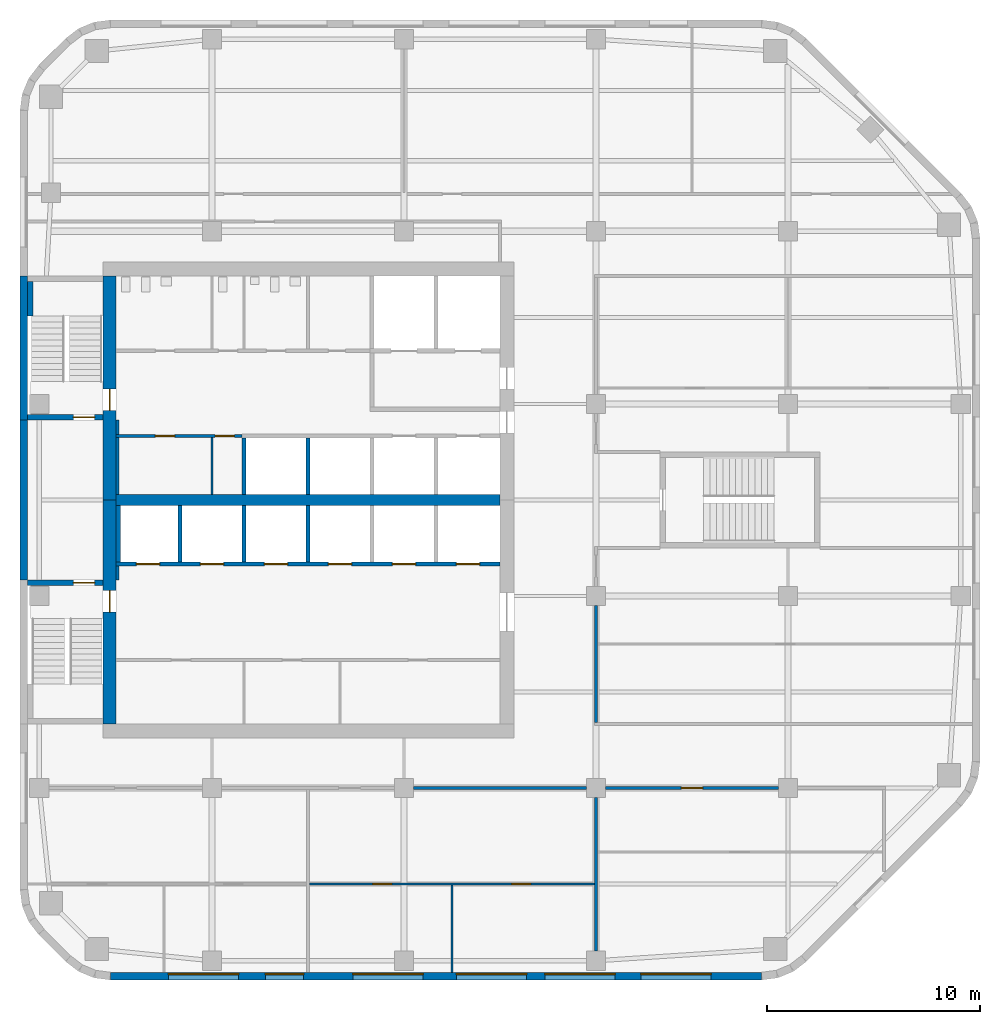
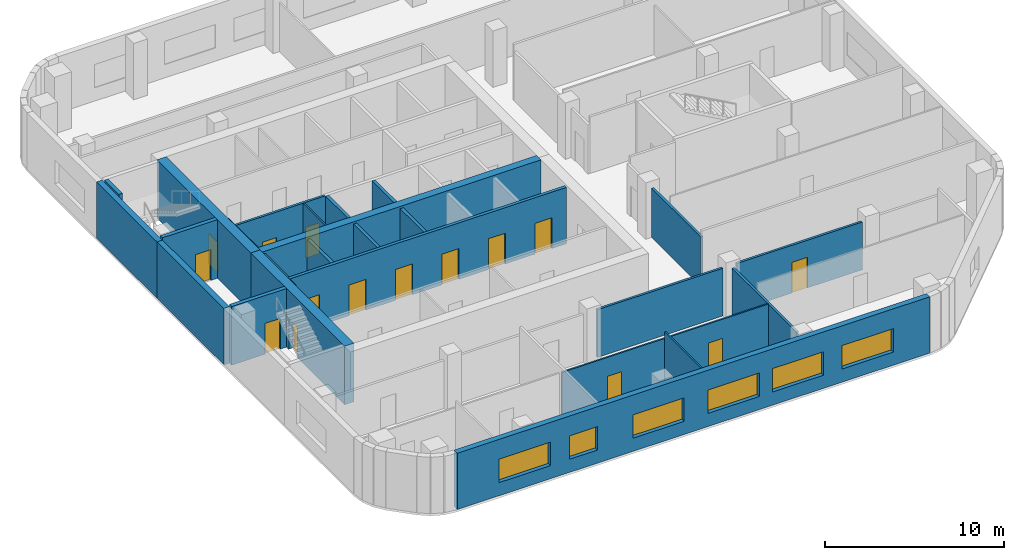
# One storey, part 3 of 8: 27 walls, 15 doors, 6 windows, 21 openings.
"""IFC4 building model written with IfcOpenShell, lengths in metres."""

import ifcopenshell
import ifcopenshell.guid

model = None  # the IFC model being written
_history = None  # IfcOwnerHistory: only IFC2X3 demands one
_inside = {}  # id of a spatial element -> (the spatial element, [elements in it])
_under = {}  # id of a project, library or spatial element -> (it, [spatial elements below it])
_declared = {}  # id of a project -> (the project, [libraries it declares])
_typed = {}  # id of a type object -> (the type object, [elements of that type])
_made_of = {}  # id of a material, layer set ... -> (it, [elements and type objects made of it])


def new_model(schema):
    """Start an empty IFC model of exactly this schema.

    Asked for "IFC4X3", IfcOpenShell would pick the latest addendum, in which some entities
    have other attributes; the version numbers below select the first issue.
    IFC2X3 requires an IfcOwnerHistory on every rooted entity: one is made here for all.
    """
    global model, _history
    if schema == "IFC4X3":
        model = ifcopenshell.file(schema_version=(4, 3, 0, 0))
    else:
        model = ifcopenshell.file(schema=schema)
    _inside.clear()
    _under.clear()
    _declared.clear()
    _typed.clear()
    _made_of.clear()
    _history = None
    if model.schema == "IFC2X3":
        org = make("IfcOrganization", Name="unknown")
        user = make(
            "IfcPersonAndOrganization",
            ThePerson=make("IfcPerson", FamilyName="unknown"),
            TheOrganization=org,
        )
        app = make(
            "IfcApplication",
            ApplicationDeveloper=org,
            Version="unknown",
            ApplicationFullName="unknown",
            ApplicationIdentifier="unknown",
        )
        _history = make(
            "IfcOwnerHistory",
            OwningUser=user,
            OwningApplication=app,
            ChangeAction="ADDED",
            CreationDate=0,
        )
    return model


def make(cls, **values):
    """One entity of the class cls with the attributes given. An attribute that is None is left unset."""
    return model.create_entity(
        cls, **{name: value for name, value in values.items() if value is not None}
    )


def rooted(cls, **values):
    """An entity with a GlobalId (a new one), such as an element, a storey or a relation."""
    return make(cls, GlobalId=ifcopenshell.guid.new(), OwnerHistory=_history, **values)


def si_unit(unit_type, name, prefix=None):
    """IfcSIUnit, for example si_unit("LENGTHUNIT", "METRE", prefix="MILLI")."""
    return make("IfcSIUnit", UnitType=unit_type, Prefix=prefix, Name=name)


def assignment(units):
    """IfcUnitAssignment: the units of a project."""
    return None if units is None else make("IfcUnitAssignment", Units=units)


def point(xyz):
    """IfcCartesianPoint."""
    return None if xyz is None else make("IfcCartesianPoint", Coordinates=xyz)


def direction(xyz):
    """IfcDirection."""
    return None if xyz is None else make("IfcDirection", DirectionRatios=xyz)


def frame(location, z_axis=None, x_axis=None):
    """IfcAxis2Placement3D, a coordinate frame: its origin and axes. An axis left out is left unset."""
    return make(
        "IfcAxis2Placement3D",
        Location=point(location),
        Axis=direction(z_axis),
        RefDirection=direction(x_axis),
    )


def frame_2d(location, x_axis=None):
    """IfcAxis2Placement2D, a coordinate frame in the plane: its origin and x axis."""
    return make(
        "IfcAxis2Placement2D", Location=point(location), RefDirection=direction(x_axis)
    )


def origin():
    """The frame at (0, 0, 0) with its axes left unset."""
    return frame((0.0, 0.0, 0.0))


def place(relative_to, where):
    """IfcLocalPlacement: puts the frame where relative to a parent placement (None: the world)."""
    return make(
        "IfcLocalPlacement", PlacementRelTo=relative_to, RelativePlacement=where
    )


def context(
    kind, dimensions, precision=None, world=None, true_north=None, identifier=None
):
    """IfcGeometricRepresentationContext, for example the 3D "Model" context."""
    return make(
        "IfcGeometricRepresentationContext",
        ContextIdentifier=identifier,
        ContextType=kind,
        CoordinateSpaceDimension=dimensions,
        Precision=precision,
        WorldCoordinateSystem=world,
        TrueNorth=true_north,
    )


def subcontext(parent, identifier, kind, view, scale=None):
    """IfcGeometricRepresentationSubContext, for example "Body" below "Model"."""
    return make(
        "IfcGeometricRepresentationSubContext",
        ContextIdentifier=identifier,
        ContextType=kind,
        ParentContext=parent,
        TargetScale=scale,
        TargetView=view,
    )


def project(units=None, contexts=None):
    """IfcProject with its units and contexts."""
    return rooted(
        "IfcProject",
        Name="project",
        RepresentationContexts=contexts,
        UnitsInContext=assignment(units),
    )


def spatial(cls, under=None, at=None, **own):
    """A site, building, storey or space (cls), placed at a placement, below another one or the project."""
    s = rooted(cls, ObjectPlacement=at, **own)
    if under is not None:
        _under.setdefault(under.id(), (under, []))[1].append(s)
    return s


def profile(cls, at=None, kind="AREA", **sizes):
    """A parametric profile (cls). Its sizes go by their IFC names, for example OverallWidth=200.0."""
    return make(cls, ProfileType=kind, Position=at, **sizes)


def rectangle(**sizes):
    """IfcRectangleProfileDef."""
    return profile("IfcRectangleProfileDef", **sizes)


def extrude(swept, where, along, depth):
    """IfcExtrudedAreaSolid: the profile swept, set in the frame where, extruded along a direction by depth."""
    return make(
        "IfcExtrudedAreaSolid",
        SweptArea=swept,
        Position=where,
        ExtrudedDirection=direction(along),
        Depth=depth,
    )


def shape(context_of_items, identifier, shape_type, items):
    """IfcShapeRepresentation: the items that make up one representation, for example the "Body"."""
    return make(
        "IfcShapeRepresentation",
        ContextOfItems=context_of_items,
        RepresentationIdentifier=identifier,
        RepresentationType=shape_type,
        Items=items,
    )


def material(Name=None, Category=None):
    """IfcMaterial."""
    return make("IfcMaterial", Name=Name, Category=Category)


def layer(
    of_material, thickness, ventilated=None, Name=None, Category=None, Priority=None
):
    """IfcMaterialLayer: one layer of a wall or slab, of a material (None: an air gap)."""
    return make(
        "IfcMaterialLayer",
        Material=of_material,
        LayerThickness=thickness,
        IsVentilated=ventilated,
        Name=Name,
        Category=Category,
        Priority=Priority,
    )


def layer_set(layers, Name=None):
    """IfcMaterialLayerSet."""
    return make("IfcMaterialLayerSet", MaterialLayers=layers, LayerSetName=Name)


def made_of(thing, what):
    """Note that an element or type object is made of a material, layer set ...; save() writes the relation."""
    if what is not None:
        _made_of.setdefault(what.id(), (what, []))[1].append(thing)
    return thing


def type_object(cls, material=None, **own):
    """A type object (cls), such as IfcWallType, which elements share."""
    return made_of(rooted(cls, **own), material)


def element(
    cls,
    number,
    at=None,
    inside=None,
    cuts=None,
    type_object=None,
    material=None,
    context=None,
    identifier="Body",
    shape_type=None,
    held_by="IfcProductDefinitionShape",
    body=None,
    shapes=None,
    **own,
):
    """One element of the class cls, such as IfcWall. Its Tag is "e" and its number.

    at: its placement. inside: the storey or other place that contains it. cuts: it is an
    opening in that element (IfcRelVoidsElement). A single representation is given by context,
    identifier, shape_type and body (its items); several are given by shapes. held_by: the class
    of the entity that holds the representations. save() writes the other relations.
    """
    e = rooted(cls, Tag="e%d" % number, ObjectPlacement=at, **own)
    if body is not None:
        shapes = [shape(context, identifier, shape_type, body)]
    if shapes is not None:
        e.Representation = make(held_by, Representations=shapes)
    if inside is not None:
        _inside.setdefault(inside.id(), (inside, []))[1].append(e)
    if cuts is not None:
        rooted(
            "IfcRelVoidsElement", RelatingBuildingElement=cuts, RelatedOpeningElement=e
        )
    if type_object is not None:
        _typed.setdefault(type_object.id(), (type_object, []))[1].append(e)
    return made_of(e, material)


def fill(opening, filler):
    """IfcRelFillsElement: the door or window that sits in an opening."""
    return rooted(
        "IfcRelFillsElement",
        RelatingOpeningElement=opening,
        RelatedBuildingElement=filler,
    )


def aggregate(whole, parts):
    """IfcRelAggregates: a whole, such as a stair, and the parts it consists of."""
    return rooted("IfcRelAggregates", RelatingObject=whole, RelatedObjects=parts)


def save(model, path):
    """Write the relations noted so far, then the file.

    IfcRelAggregates (storeys below a building ...), IfcRelContainedInSpatialStructure (elements
    in a storey), IfcRelDefinesByType, IfcRelAssociatesMaterial and IfcRelDeclares: one each for
    every whole, place, type object, material and project.
    """
    for whole, parts in _under.values():
        aggregate(whole, parts)
    for where, things in _inside.values():
        rooted(
            "IfcRelContainedInSpatialStructure",
            RelatedElements=things,
            RelatingStructure=where,
        )
    for kind, things in _typed.values():
        rooted("IfcRelDefinesByType", RelatedObjects=things, RelatingType=kind)
    for what, things in _made_of.values():
        rooted("IfcRelAssociatesMaterial", RelatedObjects=things, RelatingMaterial=what)
    for by, libraries in _declared.values():
        rooted("IfcRelDeclares", RelatingContext=by, RelatedDefinitions=libraries)
    model.write(path)


model = new_model("IFC4")

# Units and contexts
model_context = context("Model", 3, precision=1e-05, world=origin(), true_north=direction((0.0, 1.0)))
body_context = subcontext(model_context, "Body", "Model", "MODEL_VIEW")
ifc_project = project(units=[si_unit("LENGTHUNIT", "METRE"), si_unit("AREAUNIT", "SQUARE_METRE"), si_unit("VOLUMEUNIT", "CUBIC_METRE"), si_unit("PLANEANGLEUNIT", "RADIAN"), si_unit("MASSUNIT", "GRAM", prefix="KILO")], contexts=[model_context])

# Site, building, storey
site_placement = place(None, origin())
site = spatial("IfcSite", under=ifc_project, at=site_placement, CompositionType="ELEMENT")
building_placement = place(site_placement, origin())
building = spatial("IfcBuilding", under=site, at=building_placement, Name="Cinnabar Reach Civic Tower", CompositionType="ELEMENT")
storey_placement = place(building_placement, frame((0.0, 0.0, 177.0)))
storey = spatial("IfcBuildingStorey", under=building, at=storey_placement, Name="L42", CompositionType="ELEMENT", Elevation=177.0)

# Wall, openings, windows
ifc_material_1 = material(Name="Facing brick with insulated backing", Category="masonry")
ifc_layer_1 = layer(ifc_material_1, 0.36)
ifc_layer_set_1 = layer_set([ifc_layer_1], Name="Brick pier and spandrel wall")
wall_type_1 = type_object("IfcWallType", Name="Brick pier and spandrel wall", PredefinedType="STANDARD", material=ifc_layer_set_1)
wall_1_placement = place(storey_placement, frame((4.2426, 9.18, 0.0), z_axis=(0.0, 0.0, 1.0), x_axis=(1.0, 0.0, 0.0)))
wall_1 = element("IfcWall", 1, at=wall_1_placement, inside=storey, type_object=wall_type_1, Name="Brick facade wall", PredefinedType="STANDARD", context=body_context, shape_type="SweptSolid", body=[
    extrude(rectangle(XDim=30.5148, YDim=0.36, at=frame_2d((15.2574, 0.0))), origin(), (0.0, 0.0, 1.0), 3.85),
])
opening_1_placement = place(wall_1_placement, frame((2.7074, 0.0, 0.9)))
opening_1 = element("IfcOpeningElement", 2, at=opening_1_placement, cuts=wall_1, Name="Opening W1861", PredefinedType="OPENING", context=body_context, shape_type="SweptSolid", body=[
    extrude(rectangle(XDim=3.3, YDim=1.6, at=frame_2d((1.65, 0.8))), frame((0.0, 0.19, 0.0), z_axis=(0.0, -1.0, 0.0), x_axis=(1.0, 0.0, 0.0)), (0.0, 0.0, 1.0), 0.38),
])
opening_2_placement = place(wall_1_placement, frame((7.2574, 0.0, 0.9)))
opening_2 = element("IfcOpeningElement", 3, at=opening_2_placement, cuts=wall_1, Name="Opening W1862", PredefinedType="OPENING", context=body_context, shape_type="SweptSolid", body=[
    extrude(rectangle(XDim=1.8, YDim=1.6, at=frame_2d((0.9, 0.8))), frame((0.0, 0.19, 0.0), z_axis=(0.0, -1.0, 0.0), x_axis=(1.0, 0.0, 0.0)), (0.0, 0.0, 1.0), 0.38),
])
opening_3_placement = place(wall_1_placement, frame((11.3574, 0.0, 0.9)))
opening_3 = element("IfcOpeningElement", 4, at=opening_3_placement, cuts=wall_1, Name="Opening W1863", PredefinedType="OPENING", context=body_context, shape_type="SweptSolid", body=[
    extrude(rectangle(XDim=3.3, YDim=1.6, at=frame_2d((1.65, 0.8))), frame((0.0, 0.19, 0.0), z_axis=(0.0, -1.0, 0.0), x_axis=(1.0, 0.0, 0.0)), (0.0, 0.0, 1.0), 0.38),
])
opening_4_placement = place(wall_1_placement, frame((16.2074, 0.0, 0.9)))
opening_4 = element("IfcOpeningElement", 5, at=opening_4_placement, cuts=wall_1, Name="Opening W1864", PredefinedType="OPENING", context=body_context, shape_type="SweptSolid", body=[
    extrude(rectangle(XDim=3.3, YDim=1.6, at=frame_2d((1.65, 0.8))), frame((0.0, 0.19, 0.0), z_axis=(0.0, -1.0, 0.0), x_axis=(1.0, 0.0, 0.0)), (0.0, 0.0, 1.0), 0.38),
])
opening_5_placement = place(wall_1_placement, frame((20.3574, 0.0, 0.9)))
opening_5 = element("IfcOpeningElement", 6, at=opening_5_placement, cuts=wall_1, Name="Opening W1865", PredefinedType="OPENING", context=body_context, shape_type="SweptSolid", body=[
    extrude(rectangle(XDim=3.3, YDim=1.6, at=frame_2d((1.65, 0.8))), frame((0.0, 0.19, 0.0), z_axis=(0.0, -1.0, 0.0), x_axis=(1.0, 0.0, 0.0)), (0.0, 0.0, 1.0), 0.38),
])
opening_6_placement = place(wall_1_placement, frame((24.8574, 0.0, 0.9)))
opening_6 = element("IfcOpeningElement", 7, at=opening_6_placement, cuts=wall_1, Name="Opening W1866", PredefinedType="OPENING", context=body_context, shape_type="SweptSolid", body=[
    extrude(rectangle(XDim=3.3, YDim=1.6, at=frame_2d((1.65, 0.8))), frame((0.0, 0.19, 0.0), z_axis=(0.0, -1.0, 0.0), x_axis=(1.0, 0.0, 0.0)), (0.0, 0.0, 1.0), 0.38),
])
ifc_material_2 = material(Name="Clear double glazing in aluminium frame", Category="aluminium")
window_type_1 = type_object("IfcWindowType", Name="Deep-set window A", PartitioningType="SINGLE_PANEL", PredefinedType="WINDOW", material=ifc_material_2)
window_1_placement = place(opening_1_placement, origin())
window_1 = element("IfcWindow", 8, at=window_1_placement, inside=storey, type_object=window_type_1, Name="Window south face", OverallHeight=1.6, OverallWidth=3.3, PartitioningType="SINGLE_PANEL", PredefinedType="WINDOW", context=body_context, shape_type="SweptSolid", body=[
    extrude(rectangle(XDim=3.3, YDim=1.6, at=frame_2d((1.65, 0.8))), frame((0.0, 0.13, 0.0), z_axis=(0.0, -1.0, 0.0), x_axis=(1.0, 0.0, 0.0)), (0.0, 0.0, 1.0), 0.06),
])
fill(opening_1, window_1)
window_2_placement = place(opening_3_placement, origin())
window_2 = element("IfcWindow", 9, at=window_2_placement, inside=storey, type_object=window_type_1, Name="Window south face", OverallHeight=1.6, OverallWidth=3.3, PartitioningType="SINGLE_PANEL", PredefinedType="WINDOW", context=body_context, shape_type="SweptSolid", body=[
    extrude(rectangle(XDim=3.3, YDim=1.6, at=frame_2d((1.65, 0.8))), frame((0.0, 0.13, 0.0), z_axis=(0.0, -1.0, 0.0), x_axis=(1.0, 0.0, 0.0)), (0.0, 0.0, 1.0), 0.06),
])
fill(opening_3, window_2)
window_3_placement = place(opening_4_placement, origin())
window_3 = element("IfcWindow", 10, at=window_3_placement, inside=storey, type_object=window_type_1, Name="Window south face", OverallHeight=1.6, OverallWidth=3.3, PartitioningType="SINGLE_PANEL", PredefinedType="WINDOW", context=body_context, shape_type="SweptSolid", body=[
    extrude(rectangle(XDim=3.3, YDim=1.6, at=frame_2d((1.65, 0.8))), frame((0.0, 0.13, 0.0), z_axis=(0.0, -1.0, 0.0), x_axis=(1.0, 0.0, 0.0)), (0.0, 0.0, 1.0), 0.06),
])
fill(opening_4, window_3)
window_4_placement = place(opening_5_placement, origin())
window_4 = element("IfcWindow", 11, at=window_4_placement, inside=storey, type_object=window_type_1, Name="Window south face", OverallHeight=1.6, OverallWidth=3.3, PartitioningType="SINGLE_PANEL", PredefinedType="WINDOW", context=body_context, shape_type="SweptSolid", body=[
    extrude(rectangle(XDim=3.3, YDim=1.6, at=frame_2d((1.65, 0.8))), frame((0.0, 0.13, 0.0), z_axis=(0.0, -1.0, 0.0), x_axis=(1.0, 0.0, 0.0)), (0.0, 0.0, 1.0), 0.06),
])
fill(opening_5, window_4)
window_5_placement = place(opening_6_placement, origin())
window_5 = element("IfcWindow", 12, at=window_5_placement, inside=storey, type_object=window_type_1, Name="Window south face", OverallHeight=1.6, OverallWidth=3.3, PartitioningType="SINGLE_PANEL", PredefinedType="WINDOW", context=body_context, shape_type="SweptSolid", body=[
    extrude(rectangle(XDim=3.3, YDim=1.6, at=frame_2d((1.65, 0.8))), frame((0.0, 0.13, 0.0), z_axis=(0.0, -1.0, 0.0), x_axis=(1.0, 0.0, 0.0)), (0.0, 0.0, 1.0), 0.06),
])
fill(opening_6, window_5)
window_type_2 = type_object("IfcWindowType", Name="Deep-set window D", PartitioningType="SINGLE_PANEL", PredefinedType="WINDOW", material=ifc_material_2)
window_6_placement = place(opening_2_placement, origin())
window_6 = element("IfcWindow", 13, at=window_6_placement, inside=storey, type_object=window_type_2, Name="Window south face", OverallHeight=1.6, OverallWidth=1.8, PartitioningType="SINGLE_PANEL", PredefinedType="WINDOW", context=body_context, shape_type="SweptSolid", body=[
    extrude(rectangle(XDim=1.8, YDim=1.6, at=frame_2d((0.9, 0.8))), frame((0.0, 0.13, 0.0), z_axis=(0.0, -1.0, 0.0), x_axis=(1.0, 0.0, 0.0)), (0.0, 0.0, 1.0), 0.06),
])
fill(opening_2, window_6)

# Walls
wall_2_placement = place(storey_placement, frame((0.18, 42.0, 0.0), z_axis=(0.0, 0.0, 1.0), x_axis=(0.0, -1.0, 0.0)))
element("IfcWall", 14, at=wall_2_placement, inside=storey, type_object=wall_type_1, Name="Brick facade wall", PredefinedType="STANDARD", context=body_context, shape_type="SweptSolid", body=[
    extrude(rectangle(XDim=6.75, YDim=0.36, at=frame_2d((3.375, 0.0))), origin(), (0.0, 0.0, 1.0), 3.85),
])
wall_3_placement = place(storey_placement, frame((0.18, 35.25, 0.0), z_axis=(0.0, 0.0, 1.0), x_axis=(0.0, -1.0, 0.0)))
element("IfcWall", 15, at=wall_3_placement, inside=storey, type_object=wall_type_1, Name="Brick facade wall", PredefinedType="STANDARD", context=body_context, shape_type="SweptSolid", body=[
    extrude(rectangle(XDim=7.5, YDim=0.36, at=frame_2d((3.75, 0.0))), origin(), (0.0, 0.0, 1.0), 3.85),
])
ifc_material_3 = material(Name="Concrete C60", Category="concrete")
ifc_layer_2 = layer(ifc_material_3, 0.5)
ifc_layer_set_2 = layer_set([ifc_layer_2], Name="Core wall 500 EI 180")
wall_type_2 = type_object("IfcWallType", Name="Core wall 500 EI 180", PredefinedType="SOLIDWALL", material=ifc_layer_set_2)
wall_4_placement = place(storey_placement, frame((4.5, 31.5, 0.0), z_axis=(0.0, 0.0, 1.0), x_axis=(1.0, 0.0, 0.0)))
element("IfcWall", 16, at=wall_4_placement, inside=storey, type_object=wall_type_2, Name="Core spine wall T1 L42", PredefinedType="SOLIDWALL", context=body_context, shape_type="SweptSolid", body=[
    extrude(rectangle(XDim=18.0, YDim=0.5, at=frame_2d((9.0, 0.0))), origin(), (0.0, 0.0, 1.0), 4.0),
])

# Wall, opening, door
ifc_material_4 = material(Name="Concrete C70", Category="concrete")
ifc_layer_3 = layer(ifc_material_4, 0.6)
ifc_layer_set_3 = layer_set([ifc_layer_3], Name="Core wall 600 EI 180")
wall_type_3 = type_object("IfcWallType", Name="Core wall 600 EI 180", PredefinedType="SOLIDWALL", material=ifc_layer_set_3)
wall_5_placement = place(storey_placement, frame((4.2, 42.0, 0.0), z_axis=(0.0, 0.0, 1.0), x_axis=(0.0, -1.0, 0.0)))
wall_5 = element("IfcWall", 17, at=wall_5_placement, inside=storey, type_object=wall_type_3, Name="Core wall T1 L42 W", PredefinedType="SOLIDWALL", context=body_context, shape_type="SweptSolid", body=[
    extrude(rectangle(XDim=10.5, YDim=0.6, at=frame_2d((5.25, 0.0))), origin(), (0.0, 0.0, 1.0), 4.0),
])
opening_7_placement = place(wall_5_placement, frame((5.3, 0.0, 0.0)))
opening_7 = element("IfcOpeningElement", 18, at=opening_7_placement, cuts=wall_5, Name="Opening D4710", PredefinedType="OPENING", context=body_context, shape_type="SweptSolid", body=[
    extrude(rectangle(XDim=1.0, YDim=2.1, at=frame_2d((0.5, 1.05))), frame((0.0, 0.31, 0.0), z_axis=(0.0, -1.0, 0.0), x_axis=(1.0, 0.0, 0.0)), (0.0, 0.0, 1.0), 0.62),
])
ifc_material_5 = material(Name="Timber door leaf in steel frame", Category="steel")
door_type_1 = type_object("IfcDoorType", Name="Stair door 1000 x 2100 T1", OperationType="SINGLE_SWING_LEFT", PredefinedType="DOOR", material=ifc_material_5)
door_1_placement = place(opening_7_placement, frame((1.0, 0.0, 0.0), z_axis=(0.0, 0.0, 1.0), x_axis=(-1.0, 0.0, 0.0)))
door_1 = element("IfcDoor", 19, at=door_1_placement, inside=storey, type_object=door_type_1, Name="Door D4710", OperationType="SINGLE_SWING_LEFT", OverallHeight=2.1, OverallWidth=1.0, PredefinedType="DOOR", context=body_context, shape_type="SweptSolid", body=[
    extrude(rectangle(XDim=1.0, YDim=2.1, at=frame_2d((0.5, 1.05))), frame((0.0, 0.025, 0.0), z_axis=(0.0, -1.0, 0.0), x_axis=(1.0, 0.0, 0.0)), (0.0, 0.0, 1.0), 0.05),
])
fill(opening_7, door_1)

wall_6_placement = place(storey_placement, frame((4.2, 31.5, 0.0), z_axis=(0.0, 0.0, 1.0), x_axis=(0.0, -1.0, 0.0)))
wall_6 = element("IfcWall", 20, at=wall_6_placement, inside=storey, type_object=wall_type_3, Name="Core wall T1 L42 W2", PredefinedType="SOLIDWALL", context=body_context, shape_type="SweptSolid", body=[
    extrude(rectangle(XDim=10.5, YDim=0.6, at=frame_2d((5.25, 0.0))), origin(), (0.0, 0.0, 1.0), 4.0),
])
opening_8_placement = place(wall_6_placement, frame((4.25, 0.0, 0.0)))
opening_8 = element("IfcOpeningElement", 21, at=opening_8_placement, cuts=wall_6, Name="Opening D4708", PredefinedType="OPENING", context=body_context, shape_type="SweptSolid", body=[
    extrude(rectangle(XDim=1.0, YDim=2.1, at=frame_2d((0.5, 1.05))), frame((0.0, 0.31, 0.0), z_axis=(0.0, -1.0, 0.0), x_axis=(1.0, 0.0, 0.0)), (0.0, 0.0, 1.0), 0.62),
])
door_2_placement = place(opening_8_placement, frame((1.0, 0.0, 0.0), z_axis=(0.0, 0.0, 1.0), x_axis=(-1.0, 0.0, 0.0)))
door_2 = element("IfcDoor", 22, at=door_2_placement, inside=storey, type_object=door_type_1, Name="Door D4708", OperationType="SINGLE_SWING_RIGHT", OverallHeight=2.1, OverallWidth=1.0, PredefinedType="DOOR", context=body_context, shape_type="SweptSolid", body=[
    extrude(rectangle(XDim=1.0, YDim=2.1, at=frame_2d((0.5, 1.05))), frame((0.0, 0.025, 0.0), z_axis=(0.0, -1.0, 0.0), x_axis=(1.0, 0.0, 0.0)), (0.0, 0.0, 1.0), 0.05),
])
fill(opening_8, door_2)

# Wall
ifc_material_6 = material(Name="Gypsum board on steel studs, double layer", Category="steel")
ifc_layer_4 = layer(ifc_material_6, 0.15)
ifc_layer_set_4 = layer_set([ifc_layer_4], Name="Corridor wall 150 T1")
wall_type_4 = type_object("IfcWallType", Name="Corridor wall 150 T1", PredefinedType="PARTITIONING", material=ifc_layer_set_4)
wall_7_placement = place(storey_placement, frame((18.45, 18.0, 0.0), z_axis=(0.0, 0.0, 1.0), x_axis=(1.0, 0.0, 0.0)))
element("IfcWall", 23, at=wall_7_placement, inside=storey, type_object=wall_type_4, Name="Corridor wall 22", PredefinedType="PARTITIONING", context=body_context, shape_type="SweptSolid", body=[
    extrude(rectangle(XDim=8.1, YDim=0.15, at=frame_2d((4.05, 0.0))), origin(), (0.0, 0.0, 1.0), 3.262),
])

# Wall, opening, door
wall_8_placement = place(storey_placement, frame((27.45, 18.0, 0.0), z_axis=(0.0, 0.0, 1.0), x_axis=(1.0, 0.0, 0.0)))
wall_8 = element("IfcWall", 24, at=wall_8_placement, inside=storey, type_object=wall_type_4, Name="Corridor wall 23", PredefinedType="PARTITIONING", context=body_context, shape_type="SweptSolid", body=[
    extrude(rectangle(XDim=8.1, YDim=0.15, at=frame_2d((4.05, 0.0))), origin(), (0.0, 0.0, 1.0), 3.262),
])
opening_9_placement = place(wall_8_placement, frame((3.55, 0.0, 0.0)))
opening_9 = element("IfcOpeningElement", 25, at=opening_9_placement, cuts=wall_8, Name="Opening D4746", PredefinedType="OPENING", context=body_context, shape_type="SweptSolid", body=[
    extrude(rectangle(XDim=1.0, YDim=2.1, at=frame_2d((0.5, 1.05))), frame((0.0, 0.085, 0.0), z_axis=(0.0, -1.0, 0.0), x_axis=(1.0, 0.0, 0.0)), (0.0, 0.0, 1.0), 0.17),
])
door_type_2 = type_object("IfcDoorType", Name="Tenancy entrance door 1000 x 2100 T1", OperationType="SINGLE_SWING_LEFT", PredefinedType="DOOR", material=ifc_material_5)
door_3_placement = place(opening_9_placement, frame((1.0, 0.0, 0.0), z_axis=(0.0, 0.0, 1.0), x_axis=(-1.0, 0.0, 0.0)))
door_3 = element("IfcDoor", 26, at=door_3_placement, inside=storey, type_object=door_type_2, Name="Door D4746", OperationType="SINGLE_SWING_RIGHT", OverallHeight=2.1, OverallWidth=1.0, PredefinedType="DOOR", context=body_context, shape_type="SweptSolid", body=[
    extrude(rectangle(XDim=1.0, YDim=2.1, at=frame_2d((0.5, 1.05))), frame((0.0, 0.025, 0.0), z_axis=(0.0, -1.0, 0.0), x_axis=(1.0, 0.0, 0.0)), (0.0, 0.0, 1.0), 0.05),
])
fill(opening_9, door_3)

# Wall
wall_9_placement = place(storey_placement, frame((27.0, 21.075, 0.0), z_axis=(0.0, 0.0, 1.0), x_axis=(0.0, 1.0, 0.0)))
element("IfcWall", 27, at=wall_9_placement, inside=storey, type_object=wall_type_4, Name="Corridor wall 30", PredefinedType="PARTITIONING", context=body_context, shape_type="SweptSolid", body=[
    extrude(rectangle(XDim=5.475, YDim=0.15, at=frame_2d((2.7375, 0.0))), origin(), (0.0, 0.0, 1.0), 3.362),
])

# Wall, openings, doors
wall_10_placement = place(storey_placement, frame((4.5, 34.5, 0.0), z_axis=(0.0, 0.0, 1.0), x_axis=(1.0, 0.0, 0.0)))
wall_10 = element("IfcWall", 28, at=wall_10_placement, inside=storey, type_object=wall_type_4, Name="Corridor wall 34", PredefinedType="PARTITIONING", context=body_context, shape_type="SweptSolid", body=[
    extrude(rectangle(XDim=5.9, YDim=0.15, at=frame_2d((2.95, 0.0))), origin(), (0.0, 0.0, 1.0), 3.85),
])
opening_10_placement = place(wall_10_placement, frame((1.85, 0.0, 0.0)))
opening_10 = element("IfcOpeningElement", 29, at=opening_10_placement, cuts=wall_10, Name="Opening D4729", PredefinedType="OPENING", context=body_context, shape_type="SweptSolid", body=[
    extrude(rectangle(XDim=0.9, YDim=2.1, at=frame_2d((0.45, 1.05))), frame((0.0, 0.085, 0.0), z_axis=(0.0, -1.0, 0.0), x_axis=(1.0, 0.0, 0.0)), (0.0, 0.0, 1.0), 0.17),
])
opening_11_placement = place(wall_10_placement, frame((4.65, 0.0, 0.0)))
opening_11 = element("IfcOpeningElement", 30, at=opening_11_placement, cuts=wall_10, Name="Opening D4730", PredefinedType="OPENING", context=body_context, shape_type="SweptSolid", body=[
    extrude(rectangle(XDim=0.9, YDim=2.1, at=frame_2d((0.45, 1.05))), frame((0.0, 0.085, 0.0), z_axis=(0.0, -1.0, 0.0), x_axis=(1.0, 0.0, 0.0)), (0.0, 0.0, 1.0), 0.17),
])
door_type_3 = type_object("IfcDoorType", Name="Single swing door 900 x 2100 corridor T1", OperationType="SINGLE_SWING_LEFT", PredefinedType="DOOR", material=ifc_material_5)
door_4_placement = place(opening_10_placement, frame((0.9, 0.0, 0.0), z_axis=(0.0, 0.0, 1.0), x_axis=(-1.0, 0.0, 0.0)))
door_4 = element("IfcDoor", 31, at=door_4_placement, inside=storey, type_object=door_type_3, Name="Door D4729", OperationType="SINGLE_SWING_LEFT", OverallHeight=2.1, OverallWidth=0.9, PredefinedType="DOOR", context=body_context, shape_type="SweptSolid", body=[
    extrude(rectangle(XDim=0.9, YDim=2.1, at=frame_2d((0.45, 1.05))), frame((0.0, 0.025, 0.0), z_axis=(0.0, -1.0, 0.0), x_axis=(1.0, 0.0, 0.0)), (0.0, 0.0, 1.0), 0.05),
])
fill(opening_10, door_4)
door_5_placement = place(opening_11_placement, frame((0.9, 0.0, 0.0), z_axis=(0.0, 0.0, 1.0), x_axis=(-1.0, 0.0, 0.0)))
door_5 = element("IfcDoor", 32, at=door_5_placement, inside=storey, type_object=door_type_3, Name="Door D4730", OperationType="SINGLE_SWING_RIGHT", OverallHeight=2.1, OverallWidth=0.9, PredefinedType="DOOR", context=body_context, shape_type="SweptSolid", body=[
    extrude(rectangle(XDim=0.9, YDim=2.1, at=frame_2d((0.45, 1.05))), frame((0.0, 0.025, 0.0), z_axis=(0.0, -1.0, 0.0), x_axis=(1.0, 0.0, 0.0)), (0.0, 0.0, 1.0), 0.05),
])
fill(opening_11, door_5)

# Walls
wall_11_placement = place(storey_placement, frame((4.575, 34.575, 0.0), z_axis=(0.0, 0.0, 1.0), x_axis=(0.0, 1.0, 0.0)))
element("IfcWall", 33, at=wall_11_placement, inside=storey, type_object=wall_type_4, Name="Corridor wall 36", PredefinedType="PARTITIONING", context=body_context, shape_type="SweptSolid", body=[
    extrude(rectangle(XDim=0.675, YDim=0.15, at=frame_2d((0.3375, 0.0))), origin(), (0.0, 0.0, 1.0), 3.85),
])
wall_12_placement = place(storey_placement, frame((4.575, 31.75, 0.0), z_axis=(0.0, 0.0, 1.0), x_axis=(0.0, 1.0, 0.0)))
element("IfcWall", 34, at=wall_12_placement, inside=storey, type_object=wall_type_4, Name="Corridor wall 37", PredefinedType="PARTITIONING", context=body_context, shape_type="SweptSolid", body=[
    extrude(rectangle(XDim=2.675, YDim=0.15, at=frame_2d((1.3375, 0.0))), origin(), (0.0, 0.0, 1.0), 3.85),
])
wall_13_placement = place(storey_placement, frame((4.575, 27.75, 0.0), z_axis=(0.0, 0.0, 1.0), x_axis=(0.0, 1.0, 0.0)))
element("IfcWall", 35, at=wall_13_placement, inside=storey, type_object=wall_type_4, Name="Corridor wall 41", PredefinedType="PARTITIONING", context=body_context, shape_type="SweptSolid", body=[
    extrude(rectangle(XDim=0.65, YDim=0.15, at=frame_2d((0.325, 0.0))), origin(), (0.0, 0.0, 1.0), 3.85),
])

# Wall, openings, doors
ifc_material_7 = material(Name="Blockwork", Category="masonry")
ifc_layer_5 = layer(ifc_material_7, 0.2)
ifc_layer_set_5 = layer_set([ifc_layer_5], Name="Lift shaft wall 200 T1")
wall_type_5 = type_object("IfcWallType", Name="Lift shaft wall 200 T1", PredefinedType="PARTITIONING", material=ifc_layer_set_5)
wall_14_placement = place(storey_placement, frame((4.5, 28.5, 0.0), z_axis=(0.0, 0.0, 1.0), x_axis=(1.0, 0.0, 0.0)))
wall_14 = element("IfcWall", 36, at=wall_14_placement, inside=storey, type_object=wall_type_5, Name="Lift shaft wall 4", PredefinedType="PARTITIONING", context=body_context, shape_type="SweptSolid", body=[
    extrude(rectangle(XDim=18.0, YDim=0.2, at=frame_2d((9.0, 0.0))), origin(), (0.0, 0.0, 1.0), 3.85),
])
opening_12_placement = place(wall_14_placement, frame((0.95, 0.0, 0.0)))
opening_12 = element("IfcOpeningElement", 37, at=opening_12_placement, cuts=wall_14, Name="Opening D4712", PredefinedType="OPENING", context=body_context, shape_type="SweptSolid", body=[
    extrude(rectangle(XDim=1.1, YDim=2.1, at=frame_2d((0.55, 1.05))), frame((0.0, 0.11, 0.0), z_axis=(0.0, -1.0, 0.0), x_axis=(1.0, 0.0, 0.0)), (0.0, 0.0, 1.0), 0.22),
])
opening_13_placement = place(wall_14_placement, frame((3.95, 0.0, 0.0)))
opening_13 = element("IfcOpeningElement", 38, at=opening_13_placement, cuts=wall_14, Name="Opening D4713", PredefinedType="OPENING", context=body_context, shape_type="SweptSolid", body=[
    extrude(rectangle(XDim=1.1, YDim=2.1, at=frame_2d((0.55, 1.05))), frame((0.0, 0.11, 0.0), z_axis=(0.0, -1.0, 0.0), x_axis=(1.0, 0.0, 0.0)), (0.0, 0.0, 1.0), 0.22),
])
opening_14_placement = place(wall_14_placement, frame((6.95, 0.0, 0.0)))
opening_14 = element("IfcOpeningElement", 39, at=opening_14_placement, cuts=wall_14, Name="Opening D4714", PredefinedType="OPENING", context=body_context, shape_type="SweptSolid", body=[
    extrude(rectangle(XDim=1.1, YDim=2.1, at=frame_2d((0.55, 1.05))), frame((0.0, 0.11, 0.0), z_axis=(0.0, -1.0, 0.0), x_axis=(1.0, 0.0, 0.0)), (0.0, 0.0, 1.0), 0.22),
])
opening_15_placement = place(wall_14_placement, frame((9.95, 0.0, 0.0)))
opening_15 = element("IfcOpeningElement", 40, at=opening_15_placement, cuts=wall_14, Name="Opening D4715", PredefinedType="OPENING", context=body_context, shape_type="SweptSolid", body=[
    extrude(rectangle(XDim=1.1, YDim=2.1, at=frame_2d((0.55, 1.05))), frame((0.0, 0.11, 0.0), z_axis=(0.0, -1.0, 0.0), x_axis=(1.0, 0.0, 0.0)), (0.0, 0.0, 1.0), 0.22),
])
opening_16_placement = place(wall_14_placement, frame((12.95, 0.0, 0.0)))
opening_16 = element("IfcOpeningElement", 41, at=opening_16_placement, cuts=wall_14, Name="Opening D4716", PredefinedType="OPENING", context=body_context, shape_type="SweptSolid", body=[
    extrude(rectangle(XDim=1.1, YDim=2.1, at=frame_2d((0.55, 1.05))), frame((0.0, 0.11, 0.0), z_axis=(0.0, -1.0, 0.0), x_axis=(1.0, 0.0, 0.0)), (0.0, 0.0, 1.0), 0.22),
])
opening_17_placement = place(wall_14_placement, frame((15.95, 0.0, 0.0)))
opening_17 = element("IfcOpeningElement", 42, at=opening_17_placement, cuts=wall_14, Name="Opening D4717", PredefinedType="OPENING", context=body_context, shape_type="SweptSolid", body=[
    extrude(rectangle(XDim=1.1, YDim=2.1, at=frame_2d((0.55, 1.05))), frame((0.0, 0.11, 0.0), z_axis=(0.0, -1.0, 0.0), x_axis=(1.0, 0.0, 0.0)), (0.0, 0.0, 1.0), 0.22),
])
ifc_material_8 = material(Name="Stainless steel sliding door", Category="steel")
door_type_4 = type_object("IfcDoorType", Name="Lift landing door 1100 x 2100 T1", OperationType="SLIDING_TO_LEFT", PredefinedType="DOOR", material=ifc_material_8)
door_6_placement = place(opening_12_placement, origin())
door_6 = element("IfcDoor", 43, at=door_6_placement, inside=storey, type_object=door_type_4, Name="Lift landing door HR1 L42", OperationType="SLIDING_TO_LEFT", OverallHeight=2.1, OverallWidth=1.1, PredefinedType="DOOR", context=body_context, shape_type="SweptSolid", body=[
    extrude(rectangle(XDim=1.1, YDim=2.1, at=frame_2d((0.55, 1.05))), frame((0.0, 0.025, 0.0), z_axis=(0.0, -1.0, 0.0), x_axis=(1.0, 0.0, 0.0)), (0.0, 0.0, 1.0), 0.05),
])
fill(opening_12, door_6)
door_7_placement = place(opening_13_placement, origin())
door_7 = element("IfcDoor", 44, at=door_7_placement, inside=storey, type_object=door_type_4, Name="Lift landing door HR2 L42", OperationType="SLIDING_TO_LEFT", OverallHeight=2.1, OverallWidth=1.1, PredefinedType="DOOR", context=body_context, shape_type="SweptSolid", body=[
    extrude(rectangle(XDim=1.1, YDim=2.1, at=frame_2d((0.55, 1.05))), frame((0.0, 0.025, 0.0), z_axis=(0.0, -1.0, 0.0), x_axis=(1.0, 0.0, 0.0)), (0.0, 0.0, 1.0), 0.05),
])
fill(opening_13, door_7)
door_8_placement = place(opening_14_placement, origin())
door_8 = element("IfcDoor", 45, at=door_8_placement, inside=storey, type_object=door_type_4, Name="Lift landing door HR3 L42", OperationType="SLIDING_TO_LEFT", OverallHeight=2.1, OverallWidth=1.1, PredefinedType="DOOR", context=body_context, shape_type="SweptSolid", body=[
    extrude(rectangle(XDim=1.1, YDim=2.1, at=frame_2d((0.55, 1.05))), frame((0.0, 0.025, 0.0), z_axis=(0.0, -1.0, 0.0), x_axis=(1.0, 0.0, 0.0)), (0.0, 0.0, 1.0), 0.05),
])
fill(opening_14, door_8)
door_9_placement = place(opening_15_placement, origin())
door_9 = element("IfcDoor", 46, at=door_9_placement, inside=storey, type_object=door_type_4, Name="Lift landing door HR4 L42", OperationType="SLIDING_TO_LEFT", OverallHeight=2.1, OverallWidth=1.1, PredefinedType="DOOR", context=body_context, shape_type="SweptSolid", body=[
    extrude(rectangle(XDim=1.1, YDim=2.1, at=frame_2d((0.55, 1.05))), frame((0.0, 0.025, 0.0), z_axis=(0.0, -1.0, 0.0), x_axis=(1.0, 0.0, 0.0)), (0.0, 0.0, 1.0), 0.05),
])
fill(opening_15, door_9)
door_10_placement = place(opening_16_placement, origin())
door_10 = element("IfcDoor", 47, at=door_10_placement, inside=storey, type_object=door_type_4, Name="Lift landing door HR5 L42", OperationType="SLIDING_TO_LEFT", OverallHeight=2.1, OverallWidth=1.1, PredefinedType="DOOR", context=body_context, shape_type="SweptSolid", body=[
    extrude(rectangle(XDim=1.1, YDim=2.1, at=frame_2d((0.55, 1.05))), frame((0.0, 0.025, 0.0), z_axis=(0.0, -1.0, 0.0), x_axis=(1.0, 0.0, 0.0)), (0.0, 0.0, 1.0), 0.05),
])
fill(opening_16, door_10)
door_11_placement = place(opening_17_placement, origin())
door_11 = element("IfcDoor", 48, at=door_11_placement, inside=storey, type_object=door_type_4, Name="Lift landing door HR6 L42", OperationType="SLIDING_TO_LEFT", OverallHeight=2.1, OverallWidth=1.1, PredefinedType="DOOR", context=body_context, shape_type="SweptSolid", body=[
    extrude(rectangle(XDim=1.1, YDim=2.1, at=frame_2d((0.55, 1.05))), frame((0.0, 0.025, 0.0), z_axis=(0.0, -1.0, 0.0), x_axis=(1.0, 0.0, 0.0)), (0.0, 0.0, 1.0), 0.05),
])
fill(opening_17, door_11)

# Walls
for number, where, z_axis, x_axis, name in (
    (49, (10.5, 28.6, 0.0), (0.0, 0.0, 1.0), (0.0, 1.0, 0.0), "Lift shaft wall 6"),
    (50, (10.5, 31.75, 0.0), (0.0, 0.0, 1.0), (0.0, 1.0, 0.0), "Lift shaft wall 7"),
    (51, (13.5, 28.6, 0.0), (0.0, 0.0, 1.0), (0.0, 1.0, 0.0), "Lift shaft wall 8"),
    (52, (13.5, 31.75, 0.0), (0.0, 0.0, 1.0), (0.0, 1.0, 0.0), "Lift shaft wall 9"),
    (53, (4.6, 28.6, 0.0), (0.0, 0.0, 1.0), (0.0, 1.0, 0.0), "Lift shaft wall 16"),
    (54, (7.5, 28.6, 0.0), (0.0, 0.0, 1.0), (0.0, 1.0, 0.0), "Lift shaft wall 17"),
):
    element("IfcWall", number, at=place(storey_placement, frame(where, z_axis=z_axis, x_axis=x_axis)), inside=storey, type_object=wall_type_5, Name=name, PredefinedType="PARTITIONING", context=body_context, shape_type="SweptSolid", body=[
        extrude(rectangle(XDim=2.65, YDim=0.2, at=frame_2d((1.325, 0.0))), origin(), (0.0, 0.0, 1.0), 3.85),
    ])

# Wall, openings, doors
ifc_material_9 = material(Name="Gypsum board on steel studs", Category="steel")
ifc_layer_6 = layer(ifc_material_9, 0.1)
ifc_layer_set_6 = layer_set([ifc_layer_6], Name="Partition wall 100 T1")
wall_type_6 = type_object("IfcWallType", Name="Partition wall 100 T1", PredefinedType="PARTITIONING", material=ifc_layer_set_6)
wall_15_placement = place(storey_placement, frame((13.575, 13.5, 0.0), z_axis=(0.0, 0.0, 1.0), x_axis=(1.0, 0.0, 0.0)))
wall_15 = element("IfcWall", 55, at=wall_15_placement, inside=storey, type_object=wall_type_6, Name="Partition wall 46", PredefinedType="PARTITIONING", context=body_context, shape_type="SweptSolid", body=[
    extrude(rectangle(XDim=13.35, YDim=0.1, at=frame_2d((6.675, 0.0))), origin(), (0.0, 0.0, 1.0), 3.4),
])
opening_18_placement = place(wall_15_placement, frame((2.95, 0.0, 0.0)))
opening_18 = element("IfcOpeningElement", 56, at=opening_18_placement, cuts=wall_15, Name="Opening D4744", PredefinedType="OPENING", context=body_context, shape_type="SweptSolid", body=[
    extrude(rectangle(XDim=0.9, YDim=2.1, at=frame_2d((0.45, 1.05))), frame((0.0, 0.06, 0.0), z_axis=(0.0, -1.0, 0.0), x_axis=(1.0, 0.0, 0.0)), (0.0, 0.0, 1.0), 0.12),
])
opening_19_placement = place(wall_15_placement, frame((9.475, 0.0, 0.0)))
opening_19 = element("IfcOpeningElement", 57, at=opening_19_placement, cuts=wall_15, Name="Opening D4745", PredefinedType="OPENING", context=body_context, shape_type="SweptSolid", body=[
    extrude(rectangle(XDim=0.9, YDim=2.1, at=frame_2d((0.45, 1.05))), frame((0.0, 0.06, 0.0), z_axis=(0.0, -1.0, 0.0), x_axis=(1.0, 0.0, 0.0)), (0.0, 0.0, 1.0), 0.12),
])
door_type_5 = type_object("IfcDoorType", Name="Single swing door 900 x 2100 T1", OperationType="SINGLE_SWING_LEFT", PredefinedType="DOOR", material=ifc_material_5)
door_12_placement = place(opening_18_placement, frame((0.9, 0.0, 0.0), z_axis=(0.0, 0.0, 1.0), x_axis=(-1.0, 0.0, 0.0)))
door_12 = element("IfcDoor", 58, at=door_12_placement, inside=storey, type_object=door_type_5, Name="Door D4744", OperationType="SINGLE_SWING_RIGHT", OverallHeight=2.1, OverallWidth=0.9, PredefinedType="DOOR", context=body_context, shape_type="SweptSolid", body=[
    extrude(rectangle(XDim=0.9, YDim=2.1, at=frame_2d((0.45, 1.05))), frame((0.0, 0.025, 0.0), z_axis=(0.0, -1.0, 0.0), x_axis=(1.0, 0.0, 0.0)), (0.0, 0.0, 1.0), 0.05),
])
fill(opening_18, door_12)
door_13_placement = place(opening_19_placement, frame((0.9, 0.0, 0.0), z_axis=(0.0, 0.0, 1.0), x_axis=(-1.0, 0.0, 0.0)))
door_13 = element("IfcDoor", 59, at=door_13_placement, inside=storey, type_object=door_type_5, Name="Door D4745", OperationType="SINGLE_SWING_RIGHT", OverallHeight=2.1, OverallWidth=0.9, PredefinedType="DOOR", context=body_context, shape_type="SweptSolid", body=[
    extrude(rectangle(XDim=0.9, YDim=2.1, at=frame_2d((0.45, 1.05))), frame((0.0, 0.025, 0.0), z_axis=(0.0, -1.0, 0.0), x_axis=(1.0, 0.0, 0.0)), (0.0, 0.0, 1.0), 0.05),
])
fill(opening_19, door_13)

# Walls
wall_16_placement = place(storey_placement, frame((20.25, 9.36, 0.0), z_axis=(0.0, 0.0, 1.0), x_axis=(0.0, 1.0, 0.0)))
element("IfcWall", 60, at=wall_16_placement, inside=storey, type_object=wall_type_6, Name="Partition wall 55", PredefinedType="PARTITIONING", context=body_context, shape_type="SweptSolid", body=[
    extrude(rectangle(XDim=4.09, YDim=0.1, at=frame_2d((2.045, 0.0))), origin(), (0.0, 0.0, 1.0), 3.85),
])
wall_17_placement = place(storey_placement, frame((9.0, 31.75, 0.0), z_axis=(0.0, 0.0, 1.0), x_axis=(0.0, 1.0, 0.0)))
element("IfcWall", 61, at=wall_17_placement, inside=storey, type_object=wall_type_6, Name="Partition wall 58", PredefinedType="PARTITIONING", context=body_context, shape_type="SweptSolid", body=[
    extrude(rectangle(XDim=2.675, YDim=0.1, at=frame_2d((1.3375, 0.0))), origin(), (0.0, 0.0, 1.0), 3.85),
])

# Wall, opening, door
ifc_layer_7 = layer(ifc_material_3, 0.25)
ifc_layer_set_7 = layer_set([ifc_layer_7], Name="Stair shaft wall 250 EI 120")
wall_type_7 = type_object("IfcWallType", Name="Stair shaft wall 250 EI 120", PredefinedType="SOLIDWALL", material=ifc_layer_set_7)
wall_18_placement = place(storey_placement, frame((3.9, 27.625, 0.0), z_axis=(0.0, 0.0, 1.0), x_axis=(-1.0, 0.0, 0.0)))
wall_18 = element("IfcWall", 62, at=wall_18_placement, inside=storey, type_object=wall_type_7, Name="Stair shaft wall T1-S1 L42", PredefinedType="SOLIDWALL", context=body_context, shape_type="SweptSolid", body=[
    extrude(rectangle(XDim=3.54, YDim=0.25, at=frame_2d((1.77, 0.0))), origin(), (0.0, 0.0, 1.0), 4.0),
])
opening_20_placement = place(wall_18_placement, frame((0.4, 0.0, 0.0)))
opening_20 = element("IfcOpeningElement", 63, at=opening_20_placement, cuts=wall_18, Name="Opening D4709", PredefinedType="OPENING", context=body_context, shape_type="SweptSolid", body=[
    extrude(rectangle(XDim=1.0, YDim=2.1, at=frame_2d((0.5, 1.05))), frame((0.0, 0.135, 0.0), z_axis=(0.0, -1.0, 0.0), x_axis=(1.0, 0.0, 0.0)), (0.0, 0.0, 1.0), 0.27),
])
door_14_placement = place(opening_20_placement, origin())
door_14 = element("IfcDoor", 64, at=door_14_placement, inside=storey, type_object=door_type_1, Name="Door D4709", OperationType="SINGLE_SWING_LEFT", OverallHeight=2.1, OverallWidth=1.0, PredefinedType="DOOR", context=body_context, shape_type="SweptSolid", body=[
    extrude(rectangle(XDim=1.0, YDim=2.1, at=frame_2d((0.5, 1.05))), frame((0.0, 0.025, 0.0), z_axis=(0.0, -1.0, 0.0), x_axis=(1.0, 0.0, 0.0)), (0.0, 0.0, 1.0), 0.05),
])
fill(opening_20, door_14)

wall_19_placement = place(storey_placement, frame((0.36, 35.375, 0.0), z_axis=(0.0, 0.0, 1.0), x_axis=(1.0, 0.0, 0.0)))
wall_19 = element("IfcWall", 65, at=wall_19_placement, inside=storey, type_object=wall_type_7, Name="Stair shaft wall T1-S2 L42", PredefinedType="SOLIDWALL", context=body_context, shape_type="SweptSolid", body=[
    extrude(rectangle(XDim=3.54, YDim=0.25, at=frame_2d((1.77, 0.0))), origin(), (0.0, 0.0, 1.0), 4.0),
])
opening_21_placement = place(wall_19_placement, frame((2.14, 0.0, 0.0)))
opening_21 = element("IfcOpeningElement", 66, at=opening_21_placement, cuts=wall_19, Name="Opening D4711", PredefinedType="OPENING", context=body_context, shape_type="SweptSolid", body=[
    extrude(rectangle(XDim=1.0, YDim=2.1, at=frame_2d((0.5, 1.05))), frame((0.0, 0.135, 0.0), z_axis=(0.0, -1.0, 0.0), x_axis=(1.0, 0.0, 0.0)), (0.0, 0.0, 1.0), 0.27),
])
door_15_placement = place(opening_21_placement, origin())
door_15 = element("IfcDoor", 67, at=door_15_placement, inside=storey, type_object=door_type_1, Name="Door D4711", OperationType="SINGLE_SWING_RIGHT", OverallHeight=2.1, OverallWidth=1.0, PredefinedType="DOOR", context=body_context, shape_type="SweptSolid", body=[
    extrude(rectangle(XDim=1.0, YDim=2.1, at=frame_2d((0.5, 1.05))), frame((0.0, 0.025, 0.0), z_axis=(0.0, -1.0, 0.0), x_axis=(1.0, 0.0, 0.0)), (0.0, 0.0, 1.0), 0.05),
])
fill(opening_21, door_15)

# Walls
ifc_material_10 = material(Name="Concrete C40/50", Category="concrete")
ifc_layer_8 = layer(ifc_material_10, 0.24)
ifc_layer_set_8 = layer_set([ifc_layer_8], Name="T1 landing bearer wall 240")
wall_type_8 = type_object("IfcWallType", Name="T1 landing bearer wall 240", PredefinedType="STANDARD", material=ifc_layer_set_8)
wall_20_placement = place(storey_placement, frame((0.48, 40.13, 0.0), z_axis=(0.0, 0.0, 1.0), x_axis=(0.0, 1.0, 0.0)))
element("IfcWall", 68, at=wall_20_placement, inside=storey, type_object=wall_type_8, Name="T1-S2 landing bearer wall", PredefinedType="STANDARD", context=body_context, shape_type="SweptSolid", body=[
    extrude(rectangle(XDim=1.62, YDim=0.24, at=frame_2d((0.81, 0.0))), origin(), (0.0, 0.0, 1.0), 4.0),
])
ifc_layer_9 = layer(ifc_material_6, 0.15)
ifc_layer_set_9 = layer_set([ifc_layer_9], Name="Tenancy separating wall 150 T1")
wall_type_9 = type_object("IfcWallType", Name="Tenancy separating wall 150 T1", PredefinedType="PARTITIONING", material=ifc_layer_set_9)
wall_21_placement = place(storey_placement, frame((27.0, 10.35, 0.0), z_axis=(0.0, 0.0, 1.0), x_axis=(0.0, 1.0, 0.0)))
element("IfcWall", 69, at=wall_21_placement, inside=storey, type_object=wall_type_9, Name="Tenancy separating wall 44", PredefinedType="PARTITIONING", context=body_context, shape_type="SweptSolid", body=[
    extrude(rectangle(XDim=7.2, YDim=0.15, at=frame_2d((3.6, 0.0))), origin(), (0.0, 0.0, 1.0), 3.362),
])

save(model, "model.ifc")
